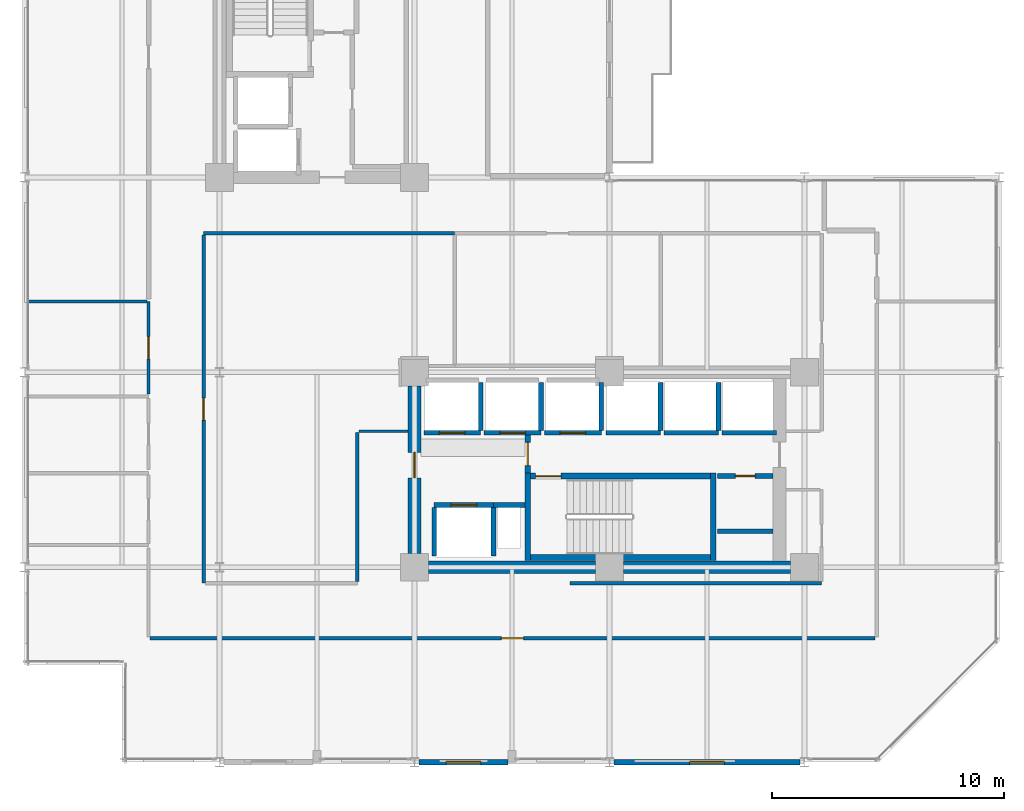
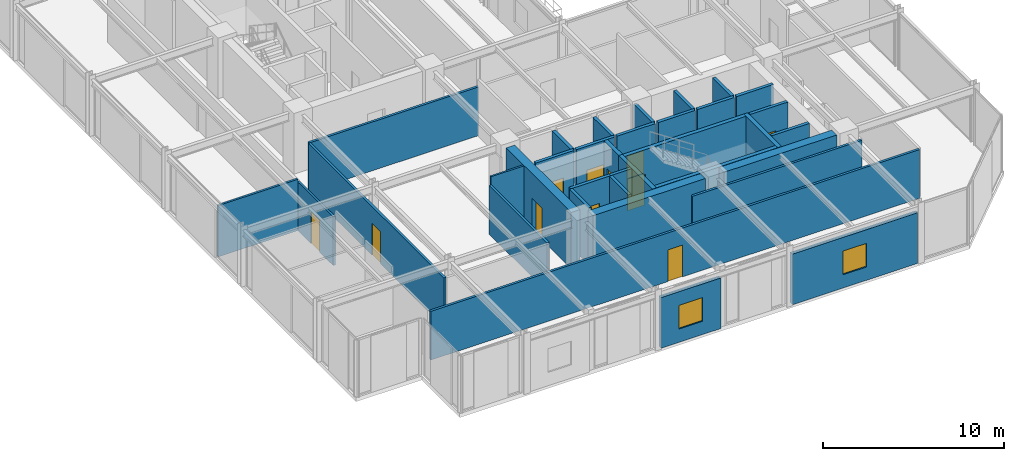
# One storey, part 24 of 29: 35 walls, 11 doors, 2 windows, 13 openings.
"""IFC4 building model written with IfcOpenShell, lengths in metres."""

from ifc_helpers import new_model, si_unit, direction, frame, frame_2d, origin, place, context, subcontext, project, spatial, rectangle, extrude, material, layer, layer_set, type_object, element, fill, save


model = new_model("IFC4")

# Units and contexts
model_context = context("Model", 3, precision=1e-05, world=origin(), true_north=direction((0.0, 1.0)))
body_context = subcontext(model_context, "Body", "Model", "MODEL_VIEW")
ifc_project = project(units=[si_unit("LENGTHUNIT", "METRE"), si_unit("AREAUNIT", "SQUARE_METRE"), si_unit("VOLUMEUNIT", "CUBIC_METRE"), si_unit("PLANEANGLEUNIT", "RADIAN"), si_unit("MASSUNIT", "GRAM", prefix="KILO")], contexts=[model_context])

# Site, building, storey
site_placement = place(None, origin())
site = spatial("IfcSite", under=ifc_project, at=site_placement, CompositionType="ELEMENT")
building_placement = place(site_placement, origin())
building = spatial("IfcBuilding", under=site, at=building_placement, Name="Nerrivon Quay Data Exchange", CompositionType="ELEMENT")
storey_placement = place(building_placement, frame((0.0, 0.0, 145.89990234375)))
storey = spatial("IfcBuildingStorey", under=building, at=storey_placement, Name="L34", CompositionType="ELEMENT", Elevation=145.89990234375)

# Wall, opening, window
ifc_material_1 = material(Name="Architectural terracotta precast concrete N50 (50 MPa)", Category="masonry")
ifc_layer_1 = layer(ifc_material_1, 0.239990234375)
ifc_layer_set_1 = layer_set([ifc_layer_1], Name="Architectural terracotta precast concrete N50 (50 MPa)")
wall_type_1 = type_object("IfcWallType", Name="EW-PREC-240", PredefinedType="STANDARD", material=ifc_layer_set_1)
wall_1_placement = place(storey_placement, frame((33.39990234375, 0.0, 0.0), z_axis=(0.0, 0.0, 1.0), x_axis=(-1.0, 0.0, 0.0)))
wall_1 = element("IfcWall", 1, at=wall_1_placement, inside=storey, type_object=wall_type_1, Name="L34 Podium Precast Spandrel Wall 3", PredefinedType="STANDARD", context=body_context, shape_type="SweptSolid", body=[
    extrude(rectangle(XDim=8.0, YDim=0.239990234375, at=frame_2d((4.0, 0.0))), origin(), (0.0, 0.0, 1.0), 3.422119140625),
])
opening_1_placement = place(wall_1_placement, frame((3.25, 0.0, 0.89990234375)))
opening_1 = element("IfcOpeningElement", 2, at=opening_1_placement, cuts=wall_1, Name="Opening WN4", PredefinedType="OPENING", context=body_context, shape_type="SweptSolid", body=[
    extrude(rectangle(XDim=1.5, YDim=1.60009765625, at=frame_2d((0.75, 0.800048828125))), frame((0.0, 0.1298828125, 0.0), z_axis=(0.0, -1.0, 0.0), x_axis=(1.0, 0.0, 0.0)), (0.0, 0.0, 1.0), 0.260009765625),
])
ifc_material_2 = material(Name="Double-glazed low-E solar control glass", Category="glass")
window_type = type_object("IfcWindowType", Name="WIN-W4-1500x1600", PartitioningType="SINGLE_PANEL", PredefinedType="WINDOW", material=ifc_material_2)
window_1_placement = place(opening_1_placement, origin())
window_1 = element("IfcWindow", 3, at=window_1_placement, inside=storey, type_object=window_type, Name="L34 Solar Facade Window 3", OverallHeight=1.60009765625, OverallWidth=1.5, PartitioningType="SINGLE_PANEL", PredefinedType="WINDOW", context=body_context, shape_type="SweptSolid", body=[
    extrude(rectangle(XDim=1.5, YDim=1.60009765625, at=frame_2d((0.75, 0.800048828125))), frame((0.0, 0.030029296875, 0.0), z_axis=(0.0, -1.0, 0.0), x_axis=(1.0, 0.0, 0.0)), (0.0, 0.0, 1.0), 0.06005859375),
])
fill(opening_1, window_1)

wall_2_placement = place(storey_placement, frame((20.824951171875, 0.0, 0.0), z_axis=(0.0, 0.0, 1.0), x_axis=(-1.0, 0.0, 0.0)))
wall_2 = element("IfcWall", 4, at=wall_2_placement, inside=storey, type_object=wall_type_1, Name="L34 Podium Precast Spandrel Wall 5", PredefinedType="STANDARD", context=body_context, shape_type="SweptSolid", body=[
    extrude(rectangle(XDim=3.824951171875, YDim=0.239990234375, at=frame_2d((1.91259765625, 0.0))), origin(), (0.0, 0.0, 1.0), 3.422119140625),
])
opening_2_placement = place(wall_2_placement, frame((1.16259765625, 0.0, 0.89990234375)))
opening_2 = element("IfcOpeningElement", 5, at=opening_2_placement, cuts=wall_2, Name="Opening WN4", PredefinedType="OPENING", context=body_context, shape_type="SweptSolid", body=[
    extrude(rectangle(XDim=1.5, YDim=1.60009765625, at=frame_2d((0.75, 0.800048828125))), frame((0.0, 0.1298828125, 0.0), z_axis=(0.0, -1.0, 0.0), x_axis=(1.0, 0.0, 0.0)), (0.0, 0.0, 1.0), 0.260009765625),
])
window_2_placement = place(opening_2_placement, origin())
window_2 = element("IfcWindow", 6, at=window_2_placement, inside=storey, type_object=window_type, Name="L34 Solar Facade Window 5", OverallHeight=1.60009765625, OverallWidth=1.5, PartitioningType="SINGLE_PANEL", PredefinedType="WINDOW", context=body_context, shape_type="SweptSolid", body=[
    extrude(rectangle(XDim=1.5, YDim=1.60009765625, at=frame_2d((0.75, 0.800048828125))), frame((0.0, 0.030029296875, 0.0), z_axis=(0.0, -1.0, 0.0), x_axis=(1.0, 0.0, 0.0)), (0.0, 0.0, 1.0), 0.06005859375),
])
fill(opening_2, window_2)

# Walls
ifc_material_3 = material(Name="Concrete S65 (65 MPa)", Category="concrete")
ifc_layer_2 = layer(ifc_material_3, 0.550048828125)
ifc_layer_set_2 = layer_set([ifc_layer_2], Name="Concrete S65 (65 MPa)")
wall_type_2 = type_object("IfcWallType", Name="WALL-CW-700", PredefinedType="SHEAR", material=ifc_layer_set_2)
wall_3_placement = place(storey_placement, frame((17.39990234375, 8.39990234375, 0.0), z_axis=(0.0, 0.0, 1.0), x_axis=(1.0, 0.0, 0.0)))
element("IfcWall", 7, at=wall_3_placement, inside=storey, type_object=wall_type_2, Name="L34 East Split-Core Shear Wall ECW-S1", PredefinedType="SHEAR", context=body_context, shape_type="SweptSolid", body=[
    extrude(rectangle(XDim=7.2001953125, YDim=0.550048828125, at=frame_2d((3.60009765625, 0.0))), origin(), (0.0, 0.0, 1.0), 3.8251953125),
])
wall_4_placement = place(storey_placement, frame((25.800048828125, 8.39990234375, 0.0), z_axis=(0.0, 0.0, 1.0), x_axis=(1.0, 0.0, 0.0)))
element("IfcWall", 8, at=wall_4_placement, inside=storey, type_object=wall_type_2, Name="L34 East Split-Core Shear Wall ECW-S2", PredefinedType="SHEAR", context=body_context, shape_type="SweptSolid", body=[
    extrude(rectangle(XDim=7.199951171875, YDim=0.550048828125, at=frame_2d((3.60009765625, 0.0))), origin(), (0.0, 0.0, 1.0), 3.8251953125),
])

# Wall, opening, door
wall_5_placement = place(storey_placement, frame((16.800048828125, 9.0, 0.0), z_axis=(0.0, 0.0, 1.0), x_axis=(0.0, 1.0, 0.0)))
wall_5 = element("IfcWall", 9, at=wall_5_placement, inside=storey, type_object=wall_type_2, Name="L34 East Split-Core Shear Wall ECW-W1", PredefinedType="SHEAR", context=body_context, shape_type="SweptSolid", body=[
    extrude(rectangle(XDim=7.199951171875, YDim=0.550048828125, at=frame_2d((3.60009765625, 0.0))), origin(), (0.0, 0.0, 1.0), 3.8251953125),
])
opening_3_placement = place(wall_5_placement, frame((3.25, 0.0, 0.0)))
opening_3 = element("IfcOpeningElement", 10, at=opening_3_placement, cuts=wall_5, Name="Opening FD-120", PredefinedType="OPENING", context=body_context, shape_type="SweptSolid", body=[
    extrude(rectangle(XDim=1.10009765625, YDim=2.14990234375, at=frame_2d((0.550048828125, 1.074951171875))), frame((0.0, 0.284912109375, 0.0), z_axis=(0.0, -1.0, 0.0), x_axis=(1.0, 0.0, 0.0)), (0.0, 0.0, 1.0), 0.570068359375),
])
ifc_material_4 = material(Name="Powder-coated galvanized steel sheet", Category="steel")
door_type_1 = type_object("IfcDoorType", Name="DR-FD120-1100", OperationType="NOTDEFINED", PredefinedType="DOOR", material=ifc_material_4)
door_1_placement = place(opening_3_placement, origin())
door_1 = element("IfcDoor", 11, at=door_1_placement, inside=storey, type_object=door_type_1, Name="L34 East Core Lobby Fire Door", OperationType="SINGLE_SWING_LEFT", OverallHeight=2.14990234375, OverallWidth=1.10009765625, PredefinedType="DOOR", context=body_context, shape_type="SweptSolid", body=[
    extrude(rectangle(XDim=1.10009765625, YDim=2.14990234375, at=frame_2d((0.550048828125, 1.074951171875))), frame((0.0, 0.02490234375, 0.0), z_axis=(0.0, -1.0, 0.0), x_axis=(1.0, 0.0, 0.0)), (0.0, 0.0, 1.0), 0.050048828125),
])
fill(opening_3, door_1)

# Wall
ifc_material_5 = material(Name="Gypsum plasterboard on cold-formed framing", Category="gypsum")
ifc_layer_3 = layer(ifc_material_5, 0.199951171875)
ifc_layer_set_3 = layer_set([ifc_layer_3], Name="Gypsum plasterboard on cold-formed framing")
wall_type_3 = type_object("IfcWallType", Name="WALL-FW-200", PredefinedType="PARTITIONING", material=ifc_layer_set_3)
wall_6_placement = place(storey_placement, frame((20.199951171875, 11.080078125, 0.0), z_axis=(0.0, 0.0, 1.0), x_axis=(1.0, 0.0, 0.0)))
element("IfcWall", 12, at=wall_6_placement, inside=storey, type_object=wall_type_3, Name="L34 East Core MEP Riser Shaft Wall N", PredefinedType="PARTITIONING", context=body_context, shape_type="SweptSolid", body=[
    extrude(rectangle(XDim=1.35009765625, YDim=0.199951171875, at=frame_2d((0.675048828125, 0.0))), origin(), (0.0, 0.0, 1.0), 3.8251953125),
])

# Wall, opening, door
wall_7_placement = place(storey_placement, frame((17.64990234375, 11.080078125, 0.0), z_axis=(0.0, 0.0, 1.0), x_axis=(1.0, 0.0, 0.0)))
wall_7 = element("IfcWall", 13, at=wall_7_placement, inside=storey, type_object=wall_type_3, Name="L34 Lift Front Wall FFL-2", PredefinedType="PARTITIONING", context=body_context, shape_type="SweptSolid", body=[
    extrude(rectangle(XDim=2.550048828125, YDim=0.199951171875, at=frame_2d((1.27490234375, 0.0))), origin(), (0.0, 0.0, 1.0), 3.8251953125),
])
opening_4_placement = place(wall_7_placement, frame((0.72509765625, 0.0, 0.0)))
opening_4 = element("IfcOpeningElement", 14, at=opening_4_placement, cuts=wall_7, Name="Opening LD-120", PredefinedType="OPENING", context=body_context, shape_type="SweptSolid", body=[
    extrude(rectangle(XDim=1.10009765625, YDim=2.199951171875, at=frame_2d((0.550048828125, 1.10009765625))), frame((0.0, 0.10986328125, 0.0), z_axis=(0.0, -1.0, 0.0), x_axis=(1.0, 0.0, 0.0)), (0.0, 0.0, 1.0), 0.219970703125),
])
door_type_2 = type_object("IfcDoorType", Name="DR-LIFT-LD120", OperationType="DOUBLE_DOOR_SLIDING", PredefinedType="DOOR", material=ifc_material_4)
door_2_placement = place(opening_4_placement, origin())
door_2 = element("IfcDoor", 15, at=door_2_placement, inside=storey, type_object=door_type_2, Name="L34 Lift Landing Sliding Door FFL-2", OperationType="DOUBLE_DOOR_SLIDING", OverallHeight=2.199951171875, OverallWidth=1.10009765625, PredefinedType="DOOR", context=body_context, shape_type="SweptSolid", body=[
    extrude(rectangle(XDim=1.10009765625, YDim=2.199951171875, at=frame_2d((0.550048828125, 1.10009765625))), frame((0.0, 0.02490234375, 0.0), z_axis=(0.0, -1.0, 0.0), x_axis=(1.0, 0.0, 0.0)), (0.0, 0.0, 1.0), 0.050048828125),
])
fill(opening_4, door_2)

# Walls
for number, where, z_axis, x_axis, name in (
    (16, (20.199951171875, 8.8798828125, 0.0), (0.0, 0.0, 1.0), (0.0, 1.0, 0.0), "L34 Lift Shaft Wall FFL-2 EAST"),
    (17, (17.64990234375, 8.8798828125, 0.0), (0.0, 0.0, 1.0), (0.0, 1.0, 0.0), "L34 Lift Shaft Wall FFL-2 WEST"),
):
    element("IfcWall", number, at=place(storey_placement, frame(where, z_axis=z_axis, x_axis=x_axis)), inside=storey, type_object=wall_type_3, Name=name, PredefinedType="PARTITIONING", context=body_context, shape_type="SweptSolid", body=[
        extrude(rectangle(XDim=2.10009765625, YDim=0.199951171875, at=frame_2d((1.050048828125, 0.0))), origin(), (0.0, 0.0, 1.0), 3.8251953125),
    ])

# Wall, opening, door
wall_8_placement = place(storey_placement, frame((17.199951171875, 14.199951171875, 0.0), z_axis=(0.0, 0.0, 1.0), x_axis=(1.0, 0.0, 0.0)))
wall_8 = element("IfcWall", 18, at=wall_8_placement, inside=storey, type_object=wall_type_3, Name="L34 Lift Front Wall PL4", PredefinedType="PARTITIONING", context=body_context, shape_type="SweptSolid", body=[
    extrude(rectangle(XDim=2.449951171875, YDim=0.199951171875, at=frame_2d((1.22509765625, 0.0))), origin(), (0.0, 0.0, 1.0), 3.8251953125),
])
opening_5_placement = place(wall_8_placement, frame((0.675048828125, 0.0, 0.0)))
opening_5 = element("IfcOpeningElement", 19, at=opening_5_placement, cuts=wall_8, Name="Opening LD-120", PredefinedType="OPENING", context=body_context, shape_type="SweptSolid", body=[
    extrude(rectangle(XDim=1.10009765625, YDim=2.199951171875, at=frame_2d((0.550048828125, 1.10009765625))), frame((0.0, 0.10986328125, 0.0), z_axis=(0.0, -1.0, 0.0), x_axis=(1.0, 0.0, 0.0)), (0.0, 0.0, 1.0), 0.219970703125),
])
door_3_placement = place(opening_5_placement, origin())
door_3 = element("IfcDoor", 20, at=door_3_placement, inside=storey, type_object=door_type_2, Name="L34 Lift Landing Sliding Door PL4", OperationType="DOUBLE_DOOR_SLIDING", OverallHeight=2.199951171875, OverallWidth=1.10009765625, PredefinedType="DOOR", context=body_context, shape_type="SweptSolid", body=[
    extrude(rectangle(XDim=1.10009765625, YDim=2.199951171875, at=frame_2d((0.550048828125, 1.10009765625))), frame((0.0, 0.02490234375, 0.0), z_axis=(0.0, -1.0, 0.0), x_axis=(1.0, 0.0, 0.0)), (0.0, 0.0, 1.0), 0.050048828125),
])
fill(opening_5, door_3)

# Wall
wall_9_placement = place(storey_placement, frame((19.64990234375, 14.300048828125, 0.0), z_axis=(0.0, 0.0, 1.0), x_axis=(0.0, 1.0, 0.0)))
element("IfcWall", 21, at=wall_9_placement, inside=storey, type_object=wall_type_3, Name="L34 Lift Shaft Wall PL4 EAST", PredefinedType="PARTITIONING", context=body_context, shape_type="SweptSolid", body=[
    extrude(rectangle(XDim=2.050048828125, YDim=0.199951171875, at=frame_2d((1.02490234375, 0.0))), origin(), (0.0, 0.0, 1.0), 3.8251953125),
])

# Wall, opening, door
wall_10_placement = place(storey_placement, frame((19.800048828125, 14.199951171875, 0.0), z_axis=(0.0, 0.0, 1.0), x_axis=(1.0, 0.0, 0.0)))
wall_10 = element("IfcWall", 22, at=wall_10_placement, inside=storey, type_object=wall_type_3, Name="L34 Lift Front Wall PL5", PredefinedType="PARTITIONING", context=body_context, shape_type="SweptSolid", body=[
    extrude(rectangle(XDim=2.449951171875, YDim=0.199951171875, at=frame_2d((1.22509765625, 0.0))), origin(), (0.0, 0.0, 1.0), 3.8251953125),
])
opening_6_placement = place(wall_10_placement, frame((0.675048828125, 0.0, 0.0)))
opening_6 = element("IfcOpeningElement", 23, at=opening_6_placement, cuts=wall_10, Name="Opening LD-120", PredefinedType="OPENING", context=body_context, shape_type="SweptSolid", body=[
    extrude(rectangle(XDim=1.10009765625, YDim=2.199951171875, at=frame_2d((0.550048828125, 1.10009765625))), frame((0.0, 0.10986328125, 0.0), z_axis=(0.0, -1.0, 0.0), x_axis=(1.0, 0.0, 0.0)), (0.0, 0.0, 1.0), 0.219970703125),
])
door_4_placement = place(opening_6_placement, origin())
door_4 = element("IfcDoor", 24, at=door_4_placement, inside=storey, type_object=door_type_2, Name="L34 Lift Landing Sliding Door PL5", OperationType="DOUBLE_DOOR_SLIDING", OverallHeight=2.199951171875, OverallWidth=1.10009765625, PredefinedType="DOOR", context=body_context, shape_type="SweptSolid", body=[
    extrude(rectangle(XDim=1.10009765625, YDim=2.199951171875, at=frame_2d((0.550048828125, 1.10009765625))), frame((0.0, 0.02490234375, 0.0), z_axis=(0.0, -1.0, 0.0), x_axis=(1.0, 0.0, 0.0)), (0.0, 0.0, 1.0), 0.050048828125),
])
fill(opening_6, door_4)

# Wall
wall_11_placement = place(storey_placement, frame((22.25, 14.300048828125, 0.0), z_axis=(0.0, 0.0, 1.0), x_axis=(0.0, 1.0, 0.0)))
element("IfcWall", 25, at=wall_11_placement, inside=storey, type_object=wall_type_3, Name="L34 Lift Shaft Wall PL5 EAST", PredefinedType="PARTITIONING", context=body_context, shape_type="SweptSolid", body=[
    extrude(rectangle(XDim=2.050048828125, YDim=0.199951171875, at=frame_2d((1.02490234375, 0.0))), origin(), (0.0, 0.0, 1.0), 3.8251953125),
])

# Wall, opening, door
wall_12_placement = place(storey_placement, frame((22.39990234375, 14.199951171875, 0.0), z_axis=(0.0, 0.0, 1.0), x_axis=(1.0, 0.0, 0.0)))
wall_12 = element("IfcWall", 26, at=wall_12_placement, inside=storey, type_object=wall_type_3, Name="L34 Lift Front Wall PL6", PredefinedType="PARTITIONING", context=body_context, shape_type="SweptSolid", body=[
    extrude(rectangle(XDim=2.4501953125, YDim=0.199951171875, at=frame_2d((1.22509765625, 0.0))), origin(), (0.0, 0.0, 1.0), 3.8251953125),
])
opening_7_placement = place(wall_12_placement, frame((0.675048828125, 0.0, 0.0)))
opening_7 = element("IfcOpeningElement", 27, at=opening_7_placement, cuts=wall_12, Name="Opening LD-120", PredefinedType="OPENING", context=body_context, shape_type="SweptSolid", body=[
    extrude(rectangle(XDim=1.10009765625, YDim=2.199951171875, at=frame_2d((0.550048828125, 1.10009765625))), frame((0.0, 0.10986328125, 0.0), z_axis=(0.0, -1.0, 0.0), x_axis=(1.0, 0.0, 0.0)), (0.0, 0.0, 1.0), 0.219970703125),
])
door_5_placement = place(opening_7_placement, origin())
door_5 = element("IfcDoor", 28, at=door_5_placement, inside=storey, type_object=door_type_2, Name="L34 Lift Landing Sliding Door PL6", OperationType="DOUBLE_DOOR_SLIDING", OverallHeight=2.199951171875, OverallWidth=1.10009765625, PredefinedType="DOOR", context=body_context, shape_type="SweptSolid", body=[
    extrude(rectangle(XDim=1.10009765625, YDim=2.199951171875, at=frame_2d((0.550048828125, 1.10009765625))), frame((0.0, 0.02490234375, 0.0), z_axis=(0.0, -1.0, 0.0), x_axis=(1.0, 0.0, 0.0)), (0.0, 0.0, 1.0), 0.050048828125),
])
fill(opening_7, door_5)

# Walls
wall_13_placement = place(storey_placement, frame((24.85009765625, 14.300048828125, 0.0), z_axis=(0.0, 0.0, 1.0), x_axis=(0.0, 1.0, 0.0)))
element("IfcWall", 29, at=wall_13_placement, inside=storey, type_object=wall_type_3, Name="L34 Lift Shaft Wall PL6 EAST", PredefinedType="PARTITIONING", context=body_context, shape_type="SweptSolid", body=[
    extrude(rectangle(XDim=2.050048828125, YDim=0.199951171875, at=frame_2d((1.02490234375, 0.0))), origin(), (0.0, 0.0, 1.0), 3.8251953125),
])
wall_14_placement = place(storey_placement, frame((25.050048828125, 14.199951171875, 0.0), z_axis=(0.0, 0.0, 1.0), x_axis=(1.0, 0.0, 0.0)))
element("IfcWall", 30, at=wall_14_placement, inside=storey, type_object=wall_type_3, Name="L34 Lift Front Wall PL7", PredefinedType="PARTITIONING", context=body_context, shape_type="SweptSolid", body=[
    extrude(rectangle(XDim=2.349853515625, YDim=0.199951171875, at=frame_2d((1.1748046875, 0.0))), origin(), (0.0, 0.0, 1.0), 3.8251953125),
])
wall_15_placement = place(storey_placement, frame((27.39990234375, 14.300048828125, 0.0), z_axis=(0.0, 0.0, 1.0), x_axis=(0.0, 1.0, 0.0)))
element("IfcWall", 31, at=wall_15_placement, inside=storey, type_object=wall_type_3, Name="L34 Lift Shaft Wall PL7 EAST", PredefinedType="PARTITIONING", context=body_context, shape_type="SweptSolid", body=[
    extrude(rectangle(XDim=2.050048828125, YDim=0.199951171875, at=frame_2d((1.02490234375, 0.0))), origin(), (0.0, 0.0, 1.0), 3.8251953125),
])
wall_16_placement = place(storey_placement, frame((27.550048828125, 14.199951171875, 0.0), z_axis=(0.0, 0.0, 1.0), x_axis=(1.0, 0.0, 0.0)))
element("IfcWall", 32, at=wall_16_placement, inside=storey, type_object=wall_type_3, Name="L34 Lift Front Wall PL8", PredefinedType="PARTITIONING", context=body_context, shape_type="SweptSolid", body=[
    extrude(rectangle(XDim=2.349853515625, YDim=0.199951171875, at=frame_2d((1.1748046875, 0.0))), origin(), (0.0, 0.0, 1.0), 3.8251953125),
])
wall_17_placement = place(storey_placement, frame((29.89990234375, 14.300048828125, 0.0), z_axis=(0.0, 0.0, 1.0), x_axis=(0.0, 1.0, 0.0)))
element("IfcWall", 33, at=wall_17_placement, inside=storey, type_object=wall_type_3, Name="L34 Lift Shaft Wall PL8 EAST", PredefinedType="PARTITIONING", context=body_context, shape_type="SweptSolid", body=[
    extrude(rectangle(XDim=2.050048828125, YDim=0.199951171875, at=frame_2d((1.02490234375, 0.0))), origin(), (0.0, 0.0, 1.0), 3.8251953125),
])
wall_18_placement = place(storey_placement, frame((30.050048828125, 14.199951171875, 0.0), z_axis=(0.0, 0.0, 1.0), x_axis=(1.0, 0.0, 0.0)))
element("IfcWall", 34, at=wall_18_placement, inside=storey, type_object=wall_type_3, Name="L34 Lift Front Wall PL9", PredefinedType="PARTITIONING", context=body_context, shape_type="SweptSolid", body=[
    extrude(rectangle(XDim=2.349853515625, YDim=0.199951171875, at=frame_2d((1.1748046875, 0.0))), origin(), (0.0, 0.0, 1.0), 3.8251953125),
])

# Wall, opening, door
wall_19_placement = place(storey_placement, frame((32.24609375, 12.330078125, 0.0), z_axis=(0.0, 0.0, 1.0), x_axis=(-1.0, 0.0, 0.0)))
wall_19 = element("IfcWall", 35, at=wall_19_placement, inside=storey, type_object=wall_type_3, Name="L34 Partition East Supply Store", PredefinedType="PARTITIONING", context=body_context, shape_type="SweptSolid", body=[
    extrude(rectangle(XDim=2.39599609375, YDim=0.199951171875, at=frame_2d((1.197998046875, 0.0))), origin(), (0.0, 0.0, 1.0), 3.8251953125),
])
opening_8_placement = place(wall_19_placement, frame((0.77294921875, 0.0, 0.0)))
opening_8 = element("IfcOpeningElement", 36, at=opening_8_placement, cuts=wall_19, Name="Opening FD-60S", PredefinedType="OPENING", context=body_context, shape_type="SweptSolid", body=[
    extrude(rectangle(XDim=0.85009765625, YDim=2.14990234375, at=frame_2d((0.425048828125, 1.074951171875))), frame((0.0, 0.10986328125, 0.0), z_axis=(0.0, -1.0, 0.0), x_axis=(1.0, 0.0, 0.0)), (0.0, 0.0, 1.0), 0.219970703125),
])
ifc_material_6 = material(Name="Engineered hardwood timber", Category="wood")
door_type_3 = type_object("IfcDoorType", Name="DR-FD60-850", OperationType="NOTDEFINED", PredefinedType="DOOR", material=ifc_material_6)
door_6_placement = place(opening_8_placement, origin())
door_6 = element("IfcDoor", 37, at=door_6_placement, inside=storey, type_object=door_type_3, Name="L34 Door East Supply Store", OperationType="SINGLE_SWING_RIGHT", OverallHeight=2.14990234375, OverallWidth=0.85009765625, PredefinedType="DOOR", context=body_context, shape_type="SweptSolid", body=[
    extrude(rectangle(XDim=0.85009765625, YDim=2.14990234375, at=frame_2d((0.425048828125, 1.074951171875))), frame((0.0, 0.02490234375, 0.0), z_axis=(0.0, -1.0, 0.0), x_axis=(1.0, 0.0, 0.0)), (0.0, 0.0, 1.0), 0.050048828125),
])
fill(opening_8, door_6)

# Walls
wall_20_placement = place(storey_placement, frame((29.85009765625, 9.949951171875, 0.0), z_axis=(0.0, 0.0, 1.0), x_axis=(1.0, 0.0, 0.0)))
element("IfcWall", 38, at=wall_20_placement, inside=storey, type_object=wall_type_3, Name="L34 Partition East Supply Store", PredefinedType="PARTITIONING", context=body_context, shape_type="SweptSolid", body=[
    extrude(rectangle(XDim=2.39599609375, YDim=0.199951171875, at=frame_2d((1.197998046875, 0.0))), origin(), (0.0, 0.0, 1.0), 3.8251953125),
])
ifc_layer_4 = layer(ifc_material_5, 0.1201171875)
ifc_layer_set_4 = layer_set([ifc_layer_4], Name="Gypsum plasterboard on cold-formed framing")
wall_type_4 = type_object("IfcWallType", Name="WALL-PT-120", PredefinedType="PARTITIONING", material=ifc_layer_set_4)
wall_21_placement = place(storey_placement, frame((14.39990234375, 14.260009765625, 0.0), z_axis=(0.0, 0.0, 1.0), x_axis=(1.0, 0.0, 0.0)))
element("IfcWall", 39, at=wall_21_placement, inside=storey, type_object=wall_type_4, Name="L34 Partition Peering Huddle Meeting Room", PredefinedType="PARTITIONING", context=body_context, shape_type="SweptSolid", body=[
    extrude(rectangle(XDim=2.12109375, YDim=0.1201171875, at=frame_2d((1.060546875, 0.0))), origin(), (0.0, 0.0, 1.0), 3.8251953125),
])

# Wall, opening, door
ifc_layer_5 = layer(ifc_material_5, 0.135009765625)
ifc_layer_set_5 = layer_set([ifc_layer_5], Name="Gypsum plasterboard on cold-formed framing")
wall_type_5 = type_object("IfcWallType", Name="WALL-PT-135", PredefinedType="PARTITIONING", material=ifc_layer_set_5)
wall_22_placement = place(storey_placement, frame((5.340087890625, 15.8701171875, 0.0), z_axis=(0.0, 0.0, 1.0), x_axis=(0.0, 1.0, 0.0)))
wall_22 = element("IfcWall", 40, at=wall_22_placement, inside=storey, type_object=wall_type_5, Name="L34 Partition Network Security Control", PredefinedType="PARTITIONING", context=body_context, shape_type="SweptSolid", body=[
    extrude(rectangle(XDim=3.97314453125, YDim=0.135009765625, at=frame_2d((1.986572265625, 0.0))), origin(), (0.0, 0.0, 1.0), 3.2919921875),
])
opening_9_placement = place(wall_22_placement, frame((1.51171875, 0.0, 0.0)))
opening_9 = element("IfcOpeningElement", 41, at=opening_9_placement, cuts=wall_22, Name="Opening D-01", PredefinedType="OPENING", context=body_context, shape_type="SweptSolid", body=[
    extrude(rectangle(XDim=0.949951171875, YDim=2.14990234375, at=frame_2d((0.47509765625, 1.074951171875))), frame((0.0, 0.077392578125, 0.0), z_axis=(0.0, -1.0, 0.0), x_axis=(1.0, 0.0, 0.0)), (0.0, 0.0, 1.0), 0.155029296875),
])
door_type_4 = type_object("IfcDoorType", Name="DR-INT-950", OperationType="NOTDEFINED", PredefinedType="DOOR", material=ifc_material_6)
door_7_placement = place(opening_9_placement, origin())
door_7 = element("IfcDoor", 42, at=door_7_placement, inside=storey, type_object=door_type_4, Name="L34 Door Network Security Control", OperationType="SINGLE_SWING_RIGHT", OverallHeight=2.14990234375, OverallWidth=0.949951171875, PredefinedType="DOOR", context=body_context, shape_type="SweptSolid", body=[
    extrude(rectangle(XDim=0.949951171875, YDim=2.14990234375, at=frame_2d((0.47509765625, 1.074951171875))), frame((0.0, 0.02490234375, 0.0), z_axis=(0.0, -1.0, 0.0), x_axis=(1.0, 0.0, 0.0)), (0.0, 0.0, 1.0), 0.050048828125),
])
fill(opening_9, door_7)

# Walls
wall_23_placement = place(storey_placement, frame((5.2685546875, 19.84326171875, 0.0), z_axis=(0.0, 0.0, 1.0), x_axis=(-1.0, 0.0, 0.0)))
element("IfcWall", 43, at=wall_23_placement, inside=storey, type_object=wall_type_5, Name="L34 Partition Network Security Control", PredefinedType="PARTITIONING", context=body_context, shape_type="SweptSolid", body=[
    extrude(rectangle(XDim=5.099609375, YDim=0.135009765625, at=frame_2d((2.5498046875, 0.0))), origin(), (0.0, 0.0, 1.0), 3.468994140625),
])
ifc_layer_6 = layer(ifc_material_5, 0.14990234375)
ifc_layer_set_6 = layer_set([ifc_layer_6], Name="Gypsum plasterboard on cold-formed framing")
wall_type_6 = type_object("IfcWallType", Name="WALL-PT-150", PredefinedType="PARTITIONING", material=ifc_layer_set_6)
wall_24_placement = place(storey_placement, frame((23.50244140625, 7.7099609375, 0.0), z_axis=(0.0, 0.0, 1.0), x_axis=(1.0, 0.0, 0.0)))
element("IfcWall", 44, at=wall_24_placement, inside=storey, type_object=wall_type_6, Name="L34 Partition Staff Pantry", PredefinedType="PARTITIONING", context=body_context, shape_type="SweptSolid", body=[
    extrude(rectangle(XDim=10.837646484375, YDim=0.14990234375, at=frame_2d((5.4189453125, 0.0))), origin(), (0.0, 0.0, 1.0), 3.297119140625),
])
wall_25_placement = place(storey_placement, frame((18.51953125, 22.7900390625, 0.0), z_axis=(0.0, 0.0, 1.0), x_axis=(-1.0, 0.0, 0.0)))
element("IfcWall", 45, at=wall_25_placement, inside=storey, type_object=wall_type_6, Name="L34 Partition Peering Huddle Meeting Room", PredefinedType="PARTITIONING", context=body_context, shape_type="SweptSolid", body=[
    extrude(rectangle(XDim=10.8095703125, YDim=0.14990234375, at=frame_2d((5.40478515625, 0.0))), origin(), (0.0, 0.0, 1.0), 3.297119140625),
])

# Wall, opening, door
wall_26_placement = place(storey_placement, frame((7.7099609375, 22.7109375, 0.0), z_axis=(0.0, 0.0, 1.0), x_axis=(0.0, -1.0, 0.0)))
wall_26 = element("IfcWall", 46, at=wall_26_placement, inside=storey, type_object=wall_type_6, Name="L34 Partition Peering Huddle Meeting Room", PredefinedType="PARTITIONING", context=body_context, shape_type="SweptSolid", body=[
    extrude(rectangle(XDim=15.0009765625, YDim=0.14990234375, at=frame_2d((7.50048828125, 0.0))), origin(), (0.0, 0.0, 1.0), 3.2919921875),
])
opening_10_placement = place(wall_26_placement, frame((7.025390625, 0.0, 0.0)))
opening_10 = element("IfcOpeningElement", 47, at=opening_10_placement, cuts=wall_26, Name="Opening D-01", PredefinedType="OPENING", context=body_context, shape_type="SweptSolid", body=[
    extrude(rectangle(XDim=0.949951171875, YDim=2.14990234375, at=frame_2d((0.47509765625, 1.074951171875))), frame((0.0, 0.0849609375, 0.0), z_axis=(0.0, -1.0, 0.0), x_axis=(1.0, 0.0, 0.0)), (0.0, 0.0, 1.0), 0.169921875),
])
door_8_placement = place(opening_10_placement, origin())
door_8 = element("IfcDoor", 48, at=door_8_placement, inside=storey, type_object=door_type_4, Name="L34 Door Peering Huddle Meeting Room", OperationType="SINGLE_SWING_LEFT", OverallHeight=2.14990234375, OverallWidth=0.949951171875, PredefinedType="DOOR", context=body_context, shape_type="SweptSolid", body=[
    extrude(rectangle(XDim=0.949951171875, YDim=2.14990234375, at=frame_2d((0.47509765625, 1.074951171875))), frame((0.0, 0.02490234375, 0.0), z_axis=(0.0, -1.0, 0.0), x_axis=(1.0, 0.0, 0.0)), (0.0, 0.0, 1.0), 0.050048828125),
])
fill(opening_10, door_8)

# Wall
wall_27_placement = place(storey_placement, frame((14.340087890625, 7.7890625, 0.0), z_axis=(0.0, 0.0, 1.0), x_axis=(0.0, 1.0, 0.0)))
element("IfcWall", 49, at=wall_27_placement, inside=storey, type_object=wall_type_6, Name="L34 Partition Peering Huddle Meeting Room", PredefinedType="PARTITIONING", context=body_context, shape_type="SweptSolid", body=[
    extrude(rectangle(XDim=6.410888671875, YDim=0.14990234375, at=frame_2d((3.20556640625, 0.0))), origin(), (0.0, 0.0, 1.0), 3.2919921875),
])

# Wall, opening, door
wall_28_placement = place(storey_placement, frame((36.64990234375, 5.340087890625, 0.0), z_axis=(0.0, 0.0, 1.0), x_axis=(-0.999999999969, 7.811035e-06, 0.0)))
wall_28 = element("IfcWall", 50, at=wall_28_placement, inside=storey, type_object=wall_type_6, Name="L34 Partition Technical Library", PredefinedType="PARTITIONING", context=body_context, shape_type="SweptSolid", body=[
    extrude(rectangle(XDim=31.255859375, YDim=0.14990234375, at=frame_2d((15.6279296875, 0.0))), origin(), (0.0, 0.0, 1.0), 3.297119140625),
])
opening_11_placement = place(wall_28_placement, frame((15.153076171875, 0.0, 0.0)))
opening_11 = element("IfcOpeningElement", 51, at=opening_11_placement, cuts=wall_28, Name="Opening D-01", PredefinedType="OPENING", context=body_context, shape_type="SweptSolid", body=[
    extrude(rectangle(XDim=0.949951171875, YDim=2.14990234375, at=frame_2d((0.47509765625, 1.074951171875))), frame((0.0, 0.0849609375, 0.0), z_axis=(0.0, -1.0, 0.0), x_axis=(1.0, 0.0, 0.0)), (0.0, 0.0, 1.0), 0.169921875),
])
door_9_placement = place(opening_11_placement, origin())
door_9 = element("IfcDoor", 52, at=door_9_placement, inside=storey, type_object=door_type_4, Name="L34 Door Technical Library", OperationType="SINGLE_SWING_RIGHT", OverallHeight=2.14990234375, OverallWidth=0.949951171875, PredefinedType="DOOR", context=body_context, shape_type="SweptSolid", body=[
    extrude(rectangle(XDim=0.949951171875, YDim=2.14990234375, at=frame_2d((0.47509765625, 1.074951171875))), frame((0.0, 0.02490234375, 0.0), z_axis=(0.0, -1.0, 0.0), x_axis=(1.0, 0.0, 0.0)), (0.0, 0.0, 1.0), 0.050048828125),
])
fill(opening_11, door_9)

# Walls
ifc_material_7 = material(Name="Concrete N50 (50 MPa)", Category="concrete")
ifc_layer_7 = layer(ifc_material_7, 0.25)
ifc_layer_set_7 = layer_set([ifc_layer_7], Name="Concrete N50 (50 MPa)")
wall_type_7 = type_object("IfcWallType", Name="WALL-SW-250", PredefinedType="SHEAR", material=ifc_layer_set_7)
for number, where, z_axis, x_axis, name in (
    (53, (21.675048828125, 8.699951171875, 0.0), (0.0, 0.0, 1.0), (0.0, 1.0, 0.0), "L34 ST02 Structural Stair Core Wall NEAR"),
    (54, (29.675048828125, 8.699951171875, 0.0), (0.0, 0.0, 1.0), (0.0, 1.0, 0.0), "L34 ST02 Structural Stair Core Wall FAR"),
):
    element("IfcWall", number, at=place(storey_placement, frame(where, z_axis=z_axis, x_axis=x_axis)), inside=storey, type_object=wall_type_7, Name=name, PredefinedType="SHEAR", context=body_context, shape_type="SweptSolid", body=[
        extrude(rectangle(XDim=3.75, YDim=0.25, at=frame_2d((1.875, 0.0))), origin(), (0.0, 0.0, 1.0), 3.8251953125),
    ])
wall_29_placement = place(storey_placement, frame((21.800048828125, 8.824951171875, 0.0), z_axis=(0.0, 0.0, 1.0), x_axis=(1.0, 0.0, 0.0)))
element("IfcWall", 55, at=wall_29_placement, inside=storey, type_object=wall_type_7, Name="L34 ST02 Structural Stair Core Wall LEFT", PredefinedType="SHEAR", context=body_context, shape_type="SweptSolid", body=[
    extrude(rectangle(XDim=7.75, YDim=0.25, at=frame_2d((3.875, 0.0))), origin(), (0.0, 0.0, 1.0), 3.8251953125),
])

# Wall, opening, door
wall_30_placement = place(storey_placement, frame((21.800048828125, 12.324951171875, 0.0), z_axis=(0.0, 0.0, 1.0), x_axis=(1.0, 0.0, 0.0)))
wall_30 = element("IfcWall", 56, at=wall_30_placement, inside=storey, type_object=wall_type_7, Name="L34 ST02 Structural Stair Core Wall RIGHT", PredefinedType="SHEAR", context=body_context, shape_type="SweptSolid", body=[
    extrude(rectangle(XDim=7.75, YDim=0.25, at=frame_2d((3.875, 0.0))), origin(), (0.0, 0.0, 1.0), 3.8251953125),
])
opening_12_placement = place(wall_30_placement, frame((0.219970703125, 0.0, 0.0)))
opening_12 = element("IfcOpeningElement", 57, at=opening_12_placement, cuts=wall_30, Name="Opening FD-120", PredefinedType="OPENING", context=body_context, shape_type="SweptSolid", body=[
    extrude(rectangle(XDim=1.10009765625, YDim=2.14990234375, at=frame_2d((0.550048828125, 1.074951171875))), frame((0.0, 0.135009765625, 0.0), z_axis=(0.0, -1.0, 0.0), x_axis=(1.0, 0.0, 0.0)), (0.0, 0.0, 1.0), 0.27001953125),
])
door_10_placement = place(opening_12_placement, origin())
door_10 = element("IfcDoor", 58, at=door_10_placement, inside=storey, type_object=door_type_1, Name="L34 Protected Stair Door ST02", OperationType="SINGLE_SWING_LEFT", OverallHeight=2.14990234375, OverallWidth=1.10009765625, PredefinedType="DOOR", context=body_context, shape_type="SweptSolid", body=[
    extrude(rectangle(XDim=1.10009765625, YDim=2.14990234375, at=frame_2d((0.550048828125, 1.074951171875))), frame((0.0, 0.02490234375, 0.0), z_axis=(0.0, -1.0, 0.0), x_axis=(1.0, 0.0, 0.0)), (0.0, 0.0, 1.0), 0.050048828125),
])
fill(opening_12, door_10)

wall_31_placement = place(storey_placement, frame((21.679931640625, 12.449951171875, 0.0), z_axis=(0.0, 0.0, 1.0), x_axis=(0.0, 1.0, 0.0)))
wall_31 = element("IfcWall", 59, at=wall_31_placement, inside=storey, type_object=wall_type_7, Name="L34 East Firefighting Lobby Wall", PredefinedType="SHEAR", context=body_context, shape_type="SweptSolid", body=[
    extrude(rectangle(XDim=1.650146484375, YDim=0.25, at=frame_2d((0.8251953125, 0.0))), origin(), (0.0, 0.0, 1.0), 3.8251953125),
])
opening_13_placement = place(wall_31_placement, frame((0.324951171875, 0.0, 0.0)))
opening_13 = element("IfcOpeningElement", 60, at=opening_13_placement, cuts=wall_31, Name="Opening FD-60", PredefinedType="OPENING", context=body_context, shape_type="SweptSolid", body=[
    extrude(rectangle(XDim=1.0, YDim=2.14990234375, at=frame_2d((0.5, 1.074951171875))), frame((0.0, 0.135009765625, 0.0), z_axis=(0.0, -1.0, 0.0), x_axis=(1.0, 0.0, 0.0)), (0.0, 0.0, 1.0), 0.27001953125),
])
door_type_5 = type_object("IfcDoorType", Name="DR-FD60-1000", OperationType="NOTDEFINED", PredefinedType="DOOR", material=ifc_material_6)
door_11_placement = place(opening_13_placement, origin())
door_11 = element("IfcDoor", 61, at=door_11_placement, inside=storey, type_object=door_type_5, Name="L34 East Firefighting Lobby Fire Door", OperationType="SINGLE_SWING_LEFT", OverallHeight=2.14990234375, OverallWidth=1.0, PredefinedType="DOOR", context=body_context, shape_type="SweptSolid", body=[
    extrude(rectangle(XDim=1.0, YDim=2.14990234375, at=frame_2d((0.5, 1.074951171875))), frame((0.0, 0.02490234375, 0.0), z_axis=(0.0, -1.0, 0.0), x_axis=(1.0, 0.0, 0.0)), (0.0, 0.0, 1.0), 0.050048828125),
])
fill(opening_13, door_11)

save(model, "model.ifc")
